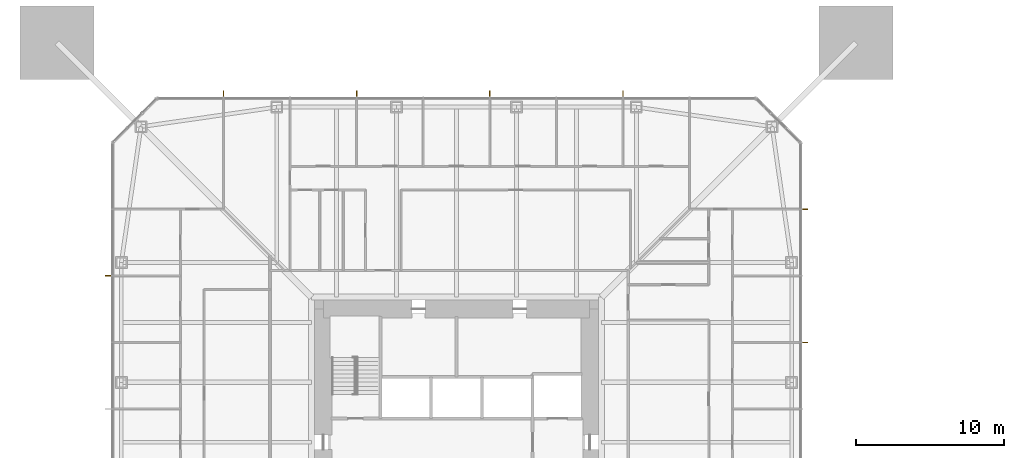
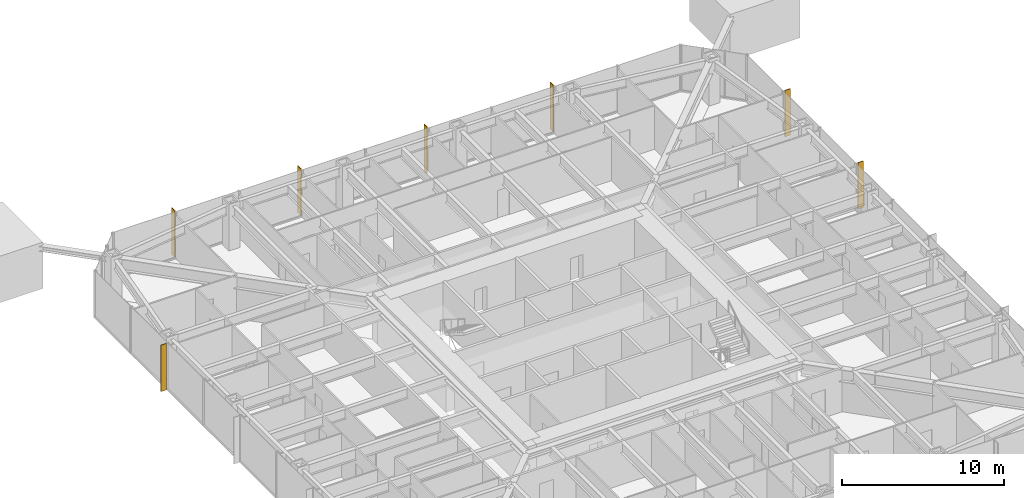
# One storey, part 25 of 26: 7 shading devices.
"""IFC4 building model written with IfcOpenShell, lengths in metres."""

from ifc_helpers import new_model, si_unit, direction, frame, origin, origin_2d, place, context, subcontext, project, spatial, rectangle, extrude, material, layer, layer_set, type_object, element, save


model = new_model("IFC4")

# Units and contexts
model_context = context("Model", 3, precision=1e-05, world=origin(), true_north=direction((0.0, 1.0)))
body_context = subcontext(model_context, "Body", "Model", "MODEL_VIEW")
ifc_project = project(units=[si_unit("LENGTHUNIT", "METRE"), si_unit("AREAUNIT", "SQUARE_METRE"), si_unit("VOLUMEUNIT", "CUBIC_METRE"), si_unit("PLANEANGLEUNIT", "RADIAN"), si_unit("MASSUNIT", "GRAM", prefix="KILO")], contexts=[model_context])

# Site, building, storey
site_placement = place(None, origin())
site = spatial("IfcSite", under=ifc_project, at=site_placement, CompositionType="ELEMENT")
building_placement = place(site_placement, origin())
building = spatial("IfcBuilding", under=site, at=building_placement, Name="Iwan Alto Co-Living Towers", CompositionType="ELEMENT")
storey_placement = place(building_placement, frame((0.0, 0.0, 46.5)))
storey = spatial("IfcBuildingStorey", under=building, at=storey_placement, Name="L12", CompositionType="ELEMENT", Elevation=46.5)

# Shading devices
ifc_material = material(Name="Aluminium 6063-T6 bronze anodised", Category="aluminium")
ifc_layer = layer(ifc_material, 0.050048828125)
ifc_layer_set = layer_set([ifc_layer], Name="BRONZE FIN 50X400")
shading_device_type = type_object("IfcShadingDeviceType", Name="BRONZE FIN 50X400", PredefinedType="USERDEFINED", material=ifc_layer_set)
for number, where, z_axis, x_axis, name in (
    (1, (23.550048828125, 6.75, 0.0), (0.0, 0.0, 1.0), (0.0, 1.0, 0.0), "Bronze fin L12"),
    (2, (23.550048828125, 15.75, 0.0), (0.0, 0.0, 1.0), (0.0, 1.0, 0.0), "Bronze fin L12"),
    (3, (11.25, 23.550048828125, 0.0), (0.0, 0.0, 1.0), (-1.0, 0.0, 0.0), "Bronze fin L12"),
    (4, (2.25, 23.550048828125, 0.0), (0.0, 0.0, 1.0), (-1.0, 0.0, 0.0), "Bronze fin L12"),
    (5, (-6.75, 23.550048828125, 0.0), (0.0, 0.0, 1.0), (-1.0, 0.0, 0.0), "Bronze fin L12"),
    (6, (-15.75, 23.550048828125, 0.0), (0.0, 0.0, 1.0), (-1.0, 0.0, 0.0), "Bronze fin L12"),
    (7, (-23.550048828125, 11.25, 0.0), (0.0, 0.0, 1.0), (0.0, -1.0, 0.0), "Bronze fin L12"),
):
    element("IfcShadingDevice", number, at=place(storey_placement, frame(where, z_axis=z_axis, x_axis=x_axis)), inside=storey, type_object=shading_device_type, Name=name, ObjectType="LOUVER", PredefinedType="USERDEFINED", context=body_context, shape_type="SweptSolid", body=[
        extrude(rectangle(XDim=0.050048828125, YDim=0.39990234375, at=origin_2d()), origin(), (0.0, 0.0, 1.0), 3.5),
    ])

save(model, "model.ifc")
